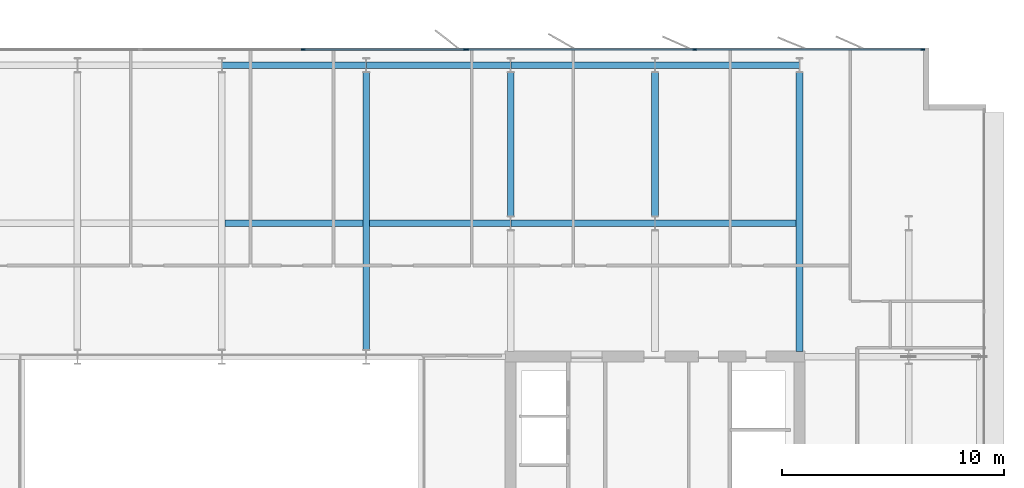
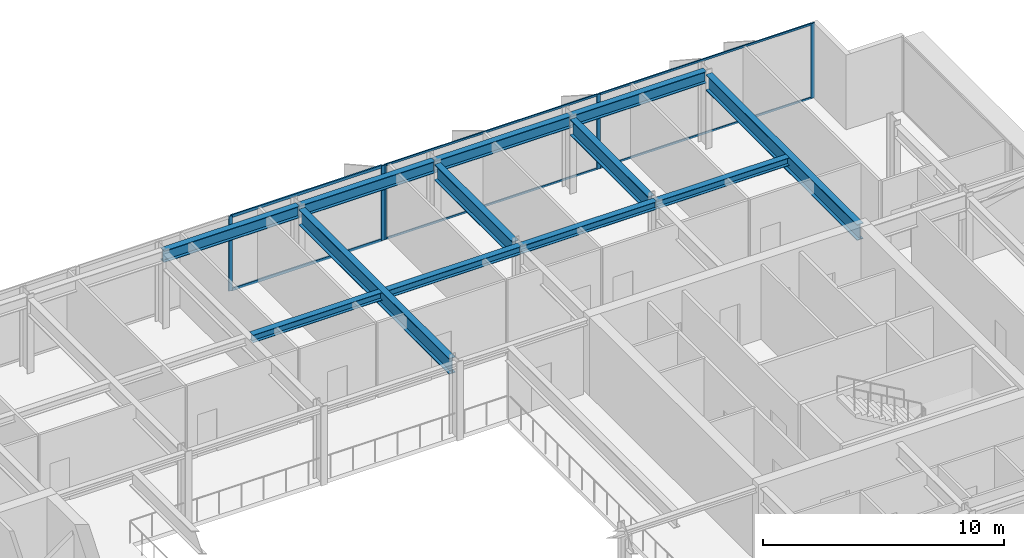
# One storey, part 9 of 20: 12 beams, 11 members, 2 elements without a shape of their own.
"""IFC4 building model written with IfcOpenShell, lengths in metres."""

from ifc_helpers import new_model, si_unit, direction, frame, origin, origin_2d, place, context, subcontext, project, spatial, rectangle, i_section, extrude, material, layer, layer_set, material_profile, profile_set, type_object, element, aggregate, save


model = new_model("IFC4")

# Units and contexts
model_context = context("Model", 3, precision=1e-05, world=origin(), true_north=direction((0.0, 1.0)))
body_context = subcontext(model_context, "Body", "Model", "MODEL_VIEW")
ifc_project = project(units=[si_unit("LENGTHUNIT", "METRE"), si_unit("AREAUNIT", "SQUARE_METRE"), si_unit("VOLUMEUNIT", "CUBIC_METRE"), si_unit("PLANEANGLEUNIT", "RADIAN"), si_unit("MASSUNIT", "GRAM", prefix="KILO")], contexts=[model_context])

# Site, building, storey
site_placement = place(None, origin())
site = spatial("IfcSite", under=ifc_project, at=site_placement, CompositionType="ELEMENT")
building_placement = place(site_placement, origin())
building = spatial("IfcBuilding", under=site, at=building_placement, Name="Putna Gate Headquarters", CompositionType="ELEMENT")
storey_placement = place(building_placement, frame((0.0, 0.0, 290.39990234375)))
storey = spatial("IfcBuildingStorey", under=building, at=storey_placement, Name="L73", CompositionType="ELEMENT", Elevation=290.39990234375)

# Beams
ifc_material_1 = material(Name="Steel S355J2", Category="steel")
ifc_material_profile_1 = material_profile(ifc_material_1, i_section(OverallWidth=0.300048828125, OverallDepth=0.800048828125, WebThickness=0.017578125, FlangeThickness=0.032958984375, at=origin_2d()), Name="Steel S355J2")
ifc_profile_set_1 = profile_set([ifc_material_profile_1], Name="Steel S355J2")
beam_type_1 = type_object("IfcBeamType", Name="BM-GIRD-P-HEB800", PredefinedType="USERDEFINED", material=ifc_profile_set_1)
beam_1_placement = place(storey_placement, frame((45.5, 33.322021484375, 3.38818359375), z_axis=(0.0, 1.0, 0.0), x_axis=(-1.0, 0.0, 0.0)))
element("IfcBeam", 1, at=beam_1_placement, inside=storey, type_object=beam_type_1, Name="L73 North Primary Girder X45", ObjectType="GIRDER", PredefinedType="USERDEFINED", context=body_context, shape_type="SweptSolid", body=[
    extrude(i_section(OverallWidth=0.300048828125, OverallDepth=0.800048828125, WebThickness=0.017578125, FlangeThickness=0.032958984375, at=origin_2d()), origin(), (0.0, 0.0, 1.0), 12.47607421875),
])
for number, where, z_axis, x_axis, name in (
    (2, (52.0, 39.322021484375, 3.38818359375), (0.0, 1.0, 0.0), (-1.0, 0.0, 0.0), "L73 North Primary Girder X52-2"),
    (3, (58.5, 39.322021484375, 3.38818359375), (0.0, 1.0, 0.0), (-1.0, 0.0, 0.0), "L73 North Primary Girder X58-2"),
):
    element("IfcBeam", number, at=place(storey_placement, frame(where, z_axis=z_axis, x_axis=x_axis)), inside=storey, type_object=beam_type_1, Name=name, ObjectType="GIRDER", PredefinedType="USERDEFINED", context=body_context, shape_type="SweptSolid", body=[
        extrude(i_section(OverallWidth=0.300048828125, OverallDepth=0.800048828125, WebThickness=0.017578125, FlangeThickness=0.032958984375, at=origin_2d()), origin(), (0.0, 0.0, 1.0), 6.47607421875),
    ])
beam_2_placement = place(storey_placement, frame((65.0, 33.235107421875, 3.38818359375), z_axis=(0.0, 1.0, 0.0), x_axis=(-1.0, 0.0, 0.0)))
element("IfcBeam", 4, at=beam_2_placement, inside=storey, type_object=beam_type_1, Name="L73 North Primary Girder X65", ObjectType="GIRDER", PredefinedType="USERDEFINED", context=body_context, shape_type="SweptSolid", body=[
    extrude(i_section(OverallWidth=0.300048828125, OverallDepth=0.800048828125, WebThickness=0.017578125, FlangeThickness=0.032958984375, at=origin_2d()), origin(), (0.0, 0.0, 1.0), 12.56298828125),
])
ifc_material_profile_2 = material_profile(ifc_material_1, i_section(OverallWidth=0.300048828125, OverallDepth=0.389892578125, WebThickness=0.010986328125, FlangeThickness=0.01904296875, at=origin_2d()), Name="Steel S355J2")
ifc_profile_set_2 = profile_set([ifc_material_profile_2], Name="Steel S355J2")
beam_type_2 = type_object("IfcBeamType", Name="BM-SEC-Z5-HEA400", PredefinedType="BEAM", material=ifc_profile_set_2)
beam_3_placement = place(storey_placement, frame((39.154052734375, 39.0, 3.593017578125), z_axis=(1.0, 0.0, 0.0), x_axis=(0.0, 1.0, 0.0)))
element("IfcBeam", 5, at=beam_3_placement, inside=storey, type_object=beam_type_2, Name="L73 North Secondary Beam 5", PredefinedType="BEAM", context=body_context, shape_type="SweptSolid", body=[
    extrude(i_section(OverallWidth=0.300048828125, OverallDepth=0.389892578125, WebThickness=0.010986328125, FlangeThickness=0.01904296875, at=origin_2d()), origin(), (0.0, 0.0, 1.0), 6.19189453125),
])
beam_4_placement = place(storey_placement, frame((45.654052734375, 39.0, 3.593017578125), z_axis=(1.0, 0.0, 0.0), x_axis=(0.0, 1.0, 0.0)))
element("IfcBeam", 6, at=beam_4_placement, inside=storey, type_object=beam_type_2, Name="L73 North Secondary Beam 6", PredefinedType="BEAM", context=body_context, shape_type="SweptSolid", body=[
    extrude(i_section(OverallWidth=0.300048828125, OverallDepth=0.389892578125, WebThickness=0.010986328125, FlangeThickness=0.01904296875, at=origin_2d()), origin(), (0.0, 0.0, 1.0), 6.33984375),
])
beam_5_placement = place(storey_placement, frame((52.006103515625, 39.0, 3.593017578125), z_axis=(1.0, 0.0, 0.0), x_axis=(0.0, 1.0, 0.0)))
element("IfcBeam", 7, at=beam_5_placement, inside=storey, type_object=beam_type_2, Name="L73 North Secondary Beam 7", PredefinedType="BEAM", context=body_context, shape_type="SweptSolid", body=[
    extrude(i_section(OverallWidth=0.300048828125, OverallDepth=0.389892578125, WebThickness=0.010986328125, FlangeThickness=0.01904296875, at=origin_2d()), origin(), (0.0, 0.0, 1.0), 6.48779296875),
])
beam_6_placement = place(storey_placement, frame((58.506103515625, 39.0, 3.593017578125), z_axis=(1.0, 0.0, 0.0), x_axis=(0.0, 1.0, 0.0)))
element("IfcBeam", 8, at=beam_6_placement, inside=storey, type_object=beam_type_2, Name="L73 North Secondary Beam 8", PredefinedType="BEAM", context=body_context, shape_type="SweptSolid", body=[
    extrude(i_section(OverallWidth=0.300048828125, OverallDepth=0.389892578125, WebThickness=0.010986328125, FlangeThickness=0.01904296875, at=origin_2d()), origin(), (0.0, 0.0, 1.0), 6.33984375),
])
ifc_material_profile_3 = material_profile(ifc_material_1, i_section(OverallWidth=0.300048828125, OverallDepth=0.590087890625, WebThickness=0.012939453125, FlangeThickness=0.02490234375, at=origin_2d()), Name="Steel S355J2")
ifc_profile_set_3 = profile_set([ifc_material_profile_3], Name="Steel S355J2")
beam_type_3 = type_object("IfcBeamType", Name="BM-SPAN-Z4-HEA600", PredefinedType="SPANDREL", material=ifc_profile_set_3)
for number, where, z_axis, x_axis, name in (
    (9, (39.006103515625, 46.1201171875, 3.4931640625), (1.0, 0.0, 0.0), (0.0, 1.0, 0.0), "L73 N Perimeter Spandrel 5"),
    (10, (45.506103515625, 46.1201171875, 3.4931640625), (1.0, 0.0, 0.0), (0.0, 1.0, 0.0), "L73 N Perimeter Spandrel 6"),
    (11, (52.006103515625, 46.1201171875, 3.4931640625), (1.0, 0.0, 0.0), (0.0, 1.0, 0.0), "L73 N Perimeter Spandrel 7"),
    (12, (58.506103515625, 46.1201171875, 3.4931640625), (1.0, 0.0, 0.0), (0.0, 1.0, 0.0), "L73 N Perimeter Spandrel 8"),
):
    element("IfcBeam", number, at=place(storey_placement, frame(where, z_axis=z_axis, x_axis=x_axis)), inside=storey, type_object=beam_type_3, Name=name, PredefinedType="SPANDREL", context=body_context, shape_type="SweptSolid", body=[
        extrude(i_section(OverallWidth=0.300048828125, OverallDepth=0.590087890625, WebThickness=0.012939453125, FlangeThickness=0.02490234375, at=origin_2d()), origin(), (0.0, 0.0, 1.0), 6.48779296875),
    ])

# Curtain wall, members
ifc_material_2 = material(Name="Anodised bronze aluminium curtain wall", Category="aluminium")
ifc_layer_1 = layer(ifc_material_2, 0.179931640625)
ifc_layer_set_1 = layer_set([ifc_layer_1], Name="Anodised bronze aluminium curtain wall")
curtain_wall_type_1 = type_object("IfcCurtainWallType", Name="CW-SYS-Z5", PredefinedType="USERDEFINED", material=ifc_layer_set_1)
curtain_wall_1_placement = place(storey_placement, origin())
curtain_wall_1 = element("IfcCurtainWall", 13, at=curtain_wall_1_placement, inside=storey, type_object=curtain_wall_type_1, Name="L73 North East Curtain Wall", ObjectType="STICK CURTAIN WALL", PredefinedType="USERDEFINED")
ifc_material_3 = material(Name="Anodised bronze aluminium EN AW-6060", Category="aluminium")
ifc_material_profile_4 = material_profile(ifc_material_3, rectangle(XDim=0.070068359375, YDim=0.179931640625, at=origin_2d()), Name="Anodised bronze aluminium EN AW-6060")
ifc_profile_set_4 = profile_set([ifc_material_profile_4], Name="Anodised bronze aluminium EN AW-6060")
member_type_1 = type_object("IfcMemberType", Name="MULL-CWM-5", PredefinedType="MULLION", material=ifc_profile_set_4)
member_1_placement = place(storey_placement, frame((50.034912109375, 46.820068359375, 0.0), z_axis=(0.0, 0.0, 1.0), x_axis=(0.0, 1.0, 0.0)))
member_1 = element("IfcMember", 14, at=member_1_placement, type_object=member_type_1, Name="CWS-5 mullion 1", PredefinedType="MULLION", context=body_context, shape_type="SweptSolid", body=[
    extrude(rectangle(XDim=0.070068359375, YDim=0.179931640625, at=origin_2d()), origin(), (0.0, 0.0, 1.0), 3.7880859375),
])
member_2_placement = place(storey_placement, frame((60.293701171875, 46.820068359375, 0.0), z_axis=(0.0, 0.0, 1.0), x_axis=(0.0, 1.0, 0.0)))
member_2 = element("IfcMember", 15, at=member_2_placement, type_object=member_type_1, Name="CWS-5 mullion 2", PredefinedType="MULLION", context=body_context, shape_type="SweptSolid", body=[
    extrude(rectangle(XDim=0.070068359375, YDim=0.179931640625, at=origin_2d()), origin(), (0.0, 0.0, 1.0), 3.7880859375),
])
member_3_placement = place(storey_placement, frame((70.55224609375, 46.820068359375, 0.0), z_axis=(0.0, 0.0, 1.0), x_axis=(0.0, 1.0, 0.0)))
member_3 = element("IfcMember", 16, at=member_3_placement, type_object=member_type_1, Name="CWS-5 mullion 3", PredefinedType="MULLION", context=body_context, shape_type="SweptSolid", body=[
    extrude(rectangle(XDim=0.070068359375, YDim=0.179931640625, at=origin_2d()), origin(), (0.0, 0.0, 1.0), 3.7880859375),
])

ifc_layer_2 = layer(ifc_material_2, 0.179931640625)
ifc_layer_set_2 = layer_set([ifc_layer_2], Name="Anodised bronze aluminium curtain wall")
curtain_wall_type_2 = type_object("IfcCurtainWallType", Name="CW-SYS-ATR", PredefinedType="USERDEFINED", material=ifc_layer_set_2)
curtain_wall_2_placement = place(storey_placement, origin())
curtain_wall_2 = element("IfcCurtainWall", 17, at=curtain_wall_2_placement, inside=storey, type_object=curtain_wall_type_2, Name="L73 North Atrium Clear Glazing", ObjectType="ATRIUM GLAZING", PredefinedType="USERDEFINED")
ifc_material_profile_5 = material_profile(ifc_material_3, rectangle(XDim=0.070068359375, YDim=0.179931640625, at=origin_2d()), Name="Anodised bronze aluminium EN AW-6060")
ifc_profile_set_5 = profile_set([ifc_material_profile_5], Name="Anodised bronze aluminium EN AW-6060")
member_type_2 = type_object("IfcMemberType", Name="MULL-CWM-AT", PredefinedType="MULLION", material=ifc_profile_set_5)
member_4_placement = place(storey_placement, frame((42.666748046875, 46.820068359375, 0.0), z_axis=(0.0, 0.0, 1.0), x_axis=(0.0, 1.0, 0.0)))
member_4 = element("IfcMember", 18, at=member_4_placement, type_object=member_type_2, Name="CWS-AT mullion 3", PredefinedType="MULLION", context=body_context, shape_type="SweptSolid", body=[
    extrude(rectangle(XDim=0.070068359375, YDim=0.179931640625, at=origin_2d()), origin(), (0.0, 0.0, 1.0), 3.7880859375),
])
member_5_placement = place(storey_placement, frame((49.965087890625, 46.820068359375, 0.0), z_axis=(0.0, 0.0, 1.0), x_axis=(0.0, 1.0, 0.0)))
member_5 = element("IfcMember", 19, at=member_5_placement, type_object=member_type_2, Name="CWS-AT mullion 4", PredefinedType="MULLION", context=body_context, shape_type="SweptSolid", body=[
    extrude(rectangle(XDim=0.070068359375, YDim=0.179931640625, at=origin_2d()), origin(), (0.0, 0.0, 1.0), 3.7880859375),
])

# Member
ifc_material_profile_6 = material_profile(ifc_material_3, rectangle(XDim=0.06005859375, YDim=0.10009765625, at=origin_2d()), Name="Anodised bronze aluminium EN AW-6060")
ifc_profile_set_6 = profile_set([ifc_material_profile_6], Name="Anodised bronze aluminium EN AW-6060")
member_type_3 = type_object("IfcMemberType", Name="TRAN-CWT-5", PredefinedType="USERDEFINED", material=ifc_profile_set_6)
member_6_placement = place(storey_placement, frame((50.070068359375, 46.820068359375, 0.030029296875), z_axis=(1.0, 0.0, 0.0), x_axis=(0.0, 1.0, 0.0)))
member_6 = element("IfcMember", 20, at=member_6_placement, type_object=member_type_3, Name="CWS-5 transom 1.1", ObjectType="TRANSOM", PredefinedType="USERDEFINED", context=body_context, shape_type="SweptSolid", body=[
    extrude(rectangle(XDim=0.06005859375, YDim=0.10009765625, at=origin_2d()), origin(), (0.0, 0.0, 1.0), 10.1884765625),
])

member_7_placement = place(storey_placement, frame((50.070068359375, 46.820068359375, 3.758056640625), z_axis=(1.0, 0.0, 0.0), x_axis=(0.0, 1.0, 0.0)))
member_7 = element("IfcMember", 21, at=member_7_placement, type_object=member_type_3, Name="CWS-5 transom 1.2", ObjectType="TRANSOM", PredefinedType="USERDEFINED", context=body_context, shape_type="SweptSolid", body=[
    extrude(rectangle(XDim=0.06005859375, YDim=0.10009765625, at=origin_2d()), origin(), (0.0, 0.0, 1.0), 10.1884765625),
])

member_8_placement = place(storey_placement, frame((60.32861328125, 46.820068359375, 0.030029296875), z_axis=(1.0, 0.0, 0.0), x_axis=(0.0, 1.0, 0.0)))
member_8 = element("IfcMember", 22, at=member_8_placement, type_object=member_type_3, Name="CWS-5 transom 2.1", ObjectType="TRANSOM", PredefinedType="USERDEFINED", context=body_context, shape_type="SweptSolid", body=[
    extrude(rectangle(XDim=0.06005859375, YDim=0.10009765625, at=origin_2d()), origin(), (0.0, 0.0, 1.0), 10.188720703125),
])

member_9_placement = place(storey_placement, frame((60.32861328125, 46.820068359375, 3.758056640625), z_axis=(1.0, 0.0, 0.0), x_axis=(0.0, 1.0, 0.0)))
member_9 = element("IfcMember", 23, at=member_9_placement, type_object=member_type_3, Name="CWS-5 transom 2.2", ObjectType="TRANSOM", PredefinedType="USERDEFINED", context=body_context, shape_type="SweptSolid", body=[
    extrude(rectangle(XDim=0.06005859375, YDim=0.10009765625, at=origin_2d()), origin(), (0.0, 0.0, 1.0), 10.188720703125),
])

aggregate(curtain_wall_1, [member_1, member_2, member_3, member_6, member_7, member_8, member_9])

ifc_material_profile_7 = material_profile(ifc_material_3, rectangle(XDim=0.070068359375, YDim=0.139892578125, at=origin_2d()), Name="Anodised bronze aluminium EN AW-6060")
ifc_profile_set_7 = profile_set([ifc_material_profile_7], Name="Anodised bronze aluminium EN AW-6060")
member_type_4 = type_object("IfcMemberType", Name="TRAN-CWT-AT", PredefinedType="USERDEFINED", material=ifc_profile_set_7)
member_10_placement = place(storey_placement, frame((42.70166015625, 46.820068359375, 0.03515625), z_axis=(1.0, 0.0, 0.0), x_axis=(0.0, 1.0, 0.0)))
member_10 = element("IfcMember", 24, at=member_10_placement, type_object=member_type_4, Name="CWS-AT transom 3.1", ObjectType="TRANSOM", PredefinedType="USERDEFINED", context=body_context, shape_type="SweptSolid", body=[
    extrude(rectangle(XDim=0.070068359375, YDim=0.139892578125, at=origin_2d()), origin(), (0.0, 0.0, 1.0), 7.228271484375),
])

member_11_placement = place(storey_placement, frame((42.70166015625, 46.820068359375, 3.753173828125), z_axis=(1.0, 0.0, 0.0), x_axis=(0.0, 1.0, 0.0)))
member_11 = element("IfcMember", 25, at=member_11_placement, type_object=member_type_4, Name="CWS-AT transom 3.2", ObjectType="TRANSOM", PredefinedType="USERDEFINED", context=body_context, shape_type="SweptSolid", body=[
    extrude(rectangle(XDim=0.070068359375, YDim=0.139892578125, at=origin_2d()), origin(), (0.0, 0.0, 1.0), 7.228271484375),
])

aggregate(curtain_wall_2, [member_4, member_5, member_10, member_11])

save(model, "model.ifc")
